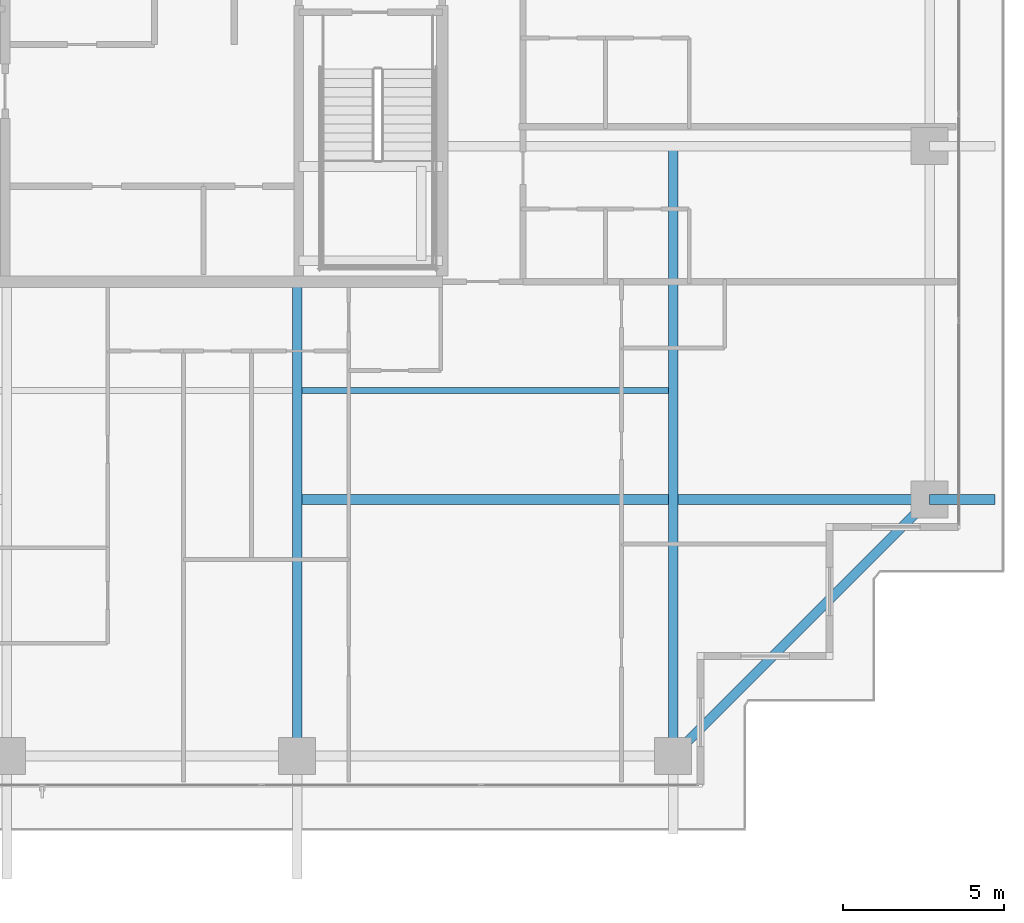
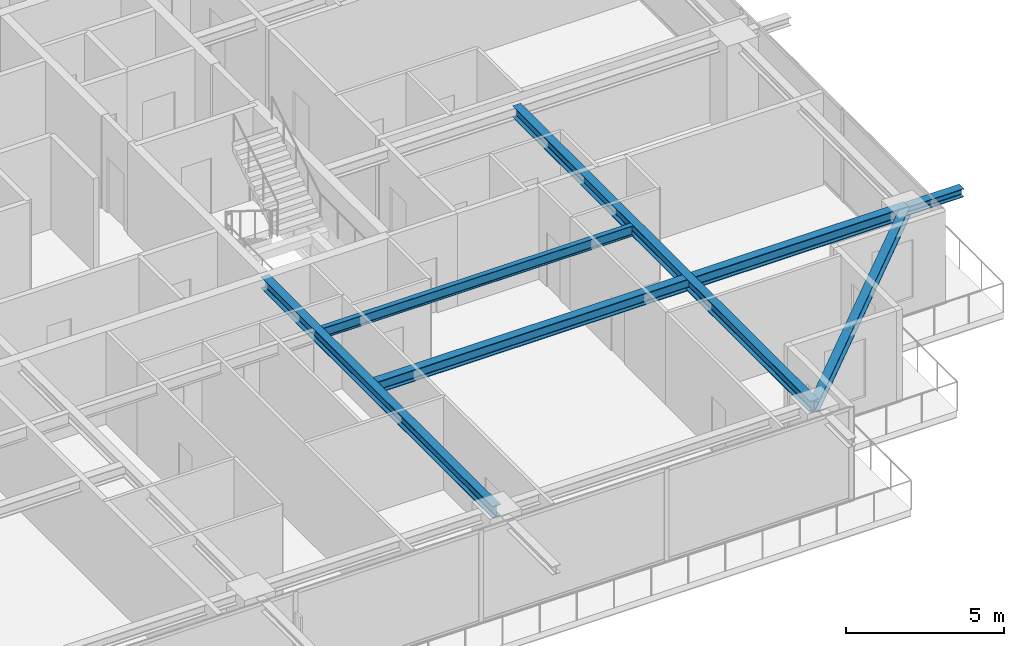
# One storey, part 13 of 40: 6 beams.
"""IFC4 building model written with IfcOpenShell, lengths in metres."""

import ifcopenshell
import ifcopenshell.guid

model = None  # the IFC model being written
_history = None  # IfcOwnerHistory: only IFC2X3 demands one
_inside = {}  # id of a spatial element -> (the spatial element, [elements in it])
_under = {}  # id of a project, library or spatial element -> (it, [spatial elements below it])
_declared = {}  # id of a project -> (the project, [libraries it declares])
_typed = {}  # id of a type object -> (the type object, [elements of that type])
_made_of = {}  # id of a material, layer set ... -> (it, [elements and type objects made of it])


def new_model(schema):
    """Start an empty IFC model of exactly this schema.

    Asked for "IFC4X3", IfcOpenShell would pick the latest addendum, in which some entities
    have other attributes; the version numbers below select the first issue.
    IFC2X3 requires an IfcOwnerHistory on every rooted entity: one is made here for all.
    """
    global model, _history
    if schema == "IFC4X3":
        model = ifcopenshell.file(schema_version=(4, 3, 0, 0))
    else:
        model = ifcopenshell.file(schema=schema)
    _inside.clear()
    _under.clear()
    _declared.clear()
    _typed.clear()
    _made_of.clear()
    _history = None
    if model.schema == "IFC2X3":
        org = make("IfcOrganization", Name="unknown")
        user = make(
            "IfcPersonAndOrganization",
            ThePerson=make("IfcPerson", FamilyName="unknown"),
            TheOrganization=org,
        )
        app = make(
            "IfcApplication",
            ApplicationDeveloper=org,
            Version="unknown",
            ApplicationFullName="unknown",
            ApplicationIdentifier="unknown",
        )
        _history = make(
            "IfcOwnerHistory",
            OwningUser=user,
            OwningApplication=app,
            ChangeAction="ADDED",
            CreationDate=0,
        )
    return model


def make(cls, **values):
    """One entity of the class cls with the attributes given. An attribute that is None is left unset."""
    return model.create_entity(
        cls, **{name: value for name, value in values.items() if value is not None}
    )


def rooted(cls, **values):
    """An entity with a GlobalId (a new one), such as an element, a storey or a relation."""
    return make(cls, GlobalId=ifcopenshell.guid.new(), OwnerHistory=_history, **values)


def si_unit(unit_type, name, prefix=None):
    """IfcSIUnit, for example si_unit("LENGTHUNIT", "METRE", prefix="MILLI")."""
    return make("IfcSIUnit", UnitType=unit_type, Prefix=prefix, Name=name)


def assignment(units):
    """IfcUnitAssignment: the units of a project."""
    return None if units is None else make("IfcUnitAssignment", Units=units)


def point(xyz):
    """IfcCartesianPoint."""
    return None if xyz is None else make("IfcCartesianPoint", Coordinates=xyz)


def direction(xyz):
    """IfcDirection."""
    return None if xyz is None else make("IfcDirection", DirectionRatios=xyz)


def frame(location, z_axis=None, x_axis=None):
    """IfcAxis2Placement3D, a coordinate frame: its origin and axes. An axis left out is left unset."""
    return make(
        "IfcAxis2Placement3D",
        Location=point(location),
        Axis=direction(z_axis),
        RefDirection=direction(x_axis),
    )


def frame_2d(location, x_axis=None):
    """IfcAxis2Placement2D, a coordinate frame in the plane: its origin and x axis."""
    return make(
        "IfcAxis2Placement2D", Location=point(location), RefDirection=direction(x_axis)
    )


def origin():
    """The frame at (0, 0, 0) with its axes left unset."""
    return frame((0.0, 0.0, 0.0))


def origin_2d():
    """The frame at (0, 0) in the plane with its x axis left unset."""
    return frame_2d((0.0, 0.0))


def place(relative_to, where):
    """IfcLocalPlacement: puts the frame where relative to a parent placement (None: the world)."""
    return make(
        "IfcLocalPlacement", PlacementRelTo=relative_to, RelativePlacement=where
    )


def context(
    kind, dimensions, precision=None, world=None, true_north=None, identifier=None
):
    """IfcGeometricRepresentationContext, for example the 3D "Model" context."""
    return make(
        "IfcGeometricRepresentationContext",
        ContextIdentifier=identifier,
        ContextType=kind,
        CoordinateSpaceDimension=dimensions,
        Precision=precision,
        WorldCoordinateSystem=world,
        TrueNorth=true_north,
    )


def subcontext(parent, identifier, kind, view, scale=None):
    """IfcGeometricRepresentationSubContext, for example "Body" below "Model"."""
    return make(
        "IfcGeometricRepresentationSubContext",
        ContextIdentifier=identifier,
        ContextType=kind,
        ParentContext=parent,
        TargetScale=scale,
        TargetView=view,
    )


def project(units=None, contexts=None):
    """IfcProject with its units and contexts."""
    return rooted(
        "IfcProject",
        Name="project",
        RepresentationContexts=contexts,
        UnitsInContext=assignment(units),
    )


def spatial(cls, under=None, at=None, **own):
    """A site, building, storey or space (cls), placed at a placement, below another one or the project."""
    s = rooted(cls, ObjectPlacement=at, **own)
    if under is not None:
        _under.setdefault(under.id(), (under, []))[1].append(s)
    return s


def profile(cls, at=None, kind="AREA", **sizes):
    """A parametric profile (cls). Its sizes go by their IFC names, for example OverallWidth=200.0."""
    return make(cls, ProfileType=kind, Position=at, **sizes)


def i_section(**sizes):
    """IfcIShapeProfileDef."""
    return profile("IfcIShapeProfileDef", **sizes)


def extrude(swept, where, along, depth):
    """IfcExtrudedAreaSolid: the profile swept, set in the frame where, extruded along a direction by depth."""
    return make(
        "IfcExtrudedAreaSolid",
        SweptArea=swept,
        Position=where,
        ExtrudedDirection=direction(along),
        Depth=depth,
    )


def shape(context_of_items, identifier, shape_type, items):
    """IfcShapeRepresentation: the items that make up one representation, for example the "Body"."""
    return make(
        "IfcShapeRepresentation",
        ContextOfItems=context_of_items,
        RepresentationIdentifier=identifier,
        RepresentationType=shape_type,
        Items=items,
    )


def source(mapping_origin, context_of_items, identifier, shape_type, items):
    """IfcRepresentationMap: a shape defined once, which mapped items show again and again."""
    return make(
        "IfcRepresentationMap",
        MappingOrigin=mapping_origin,
        MappedRepresentation=shape(context_of_items, identifier, shape_type, items),
    )


def transform(
    local_origin,
    x_axis=None,
    y_axis=None,
    z_axis=None,
    scale=None,
    scale2=None,
    scale3=None,
    uniform=True,
):
    """IfcCartesianTransformationOperator3D, or its non-uniform kind. x_axis, y_axis, z_axis: its Axis1, 2, 3."""
    if uniform:
        return make(
            "IfcCartesianTransformationOperator3D",
            Axis1=direction(x_axis),
            Axis2=direction(y_axis),
            LocalOrigin=point(local_origin),
            Scale=scale,
            Axis3=direction(z_axis),
        )
    return make(
        "IfcCartesianTransformationOperator3DnonUniform",
        Axis1=direction(x_axis),
        Axis2=direction(y_axis),
        LocalOrigin=point(local_origin),
        Scale=scale,
        Axis3=direction(z_axis),
        Scale2=scale2,
        Scale3=scale3,
    )


def mapped(mapping_source, mapping_target):
    """IfcMappedItem: shows the shape of a source again, moved by a transform."""
    return make(
        "IfcMappedItem", MappingSource=mapping_source, MappingTarget=mapping_target
    )


def material(Name=None, Category=None):
    """IfcMaterial."""
    return make("IfcMaterial", Name=Name, Category=Category)


def material_profile(
    of_material, cross_section, Name=None, Category=None, Priority=None
):
    """IfcMaterialProfile: a cross section and its material."""
    return make(
        "IfcMaterialProfile",
        Name=Name,
        Material=of_material,
        Profile=cross_section,
        Priority=Priority,
        Category=Category,
    )


def profile_set(profiles, Name=None, composite=None):
    """IfcMaterialProfileSet."""
    return make(
        "IfcMaterialProfileSet",
        Name=Name,
        MaterialProfiles=profiles,
        CompositeProfile=composite,
    )


def made_of(thing, what):
    """Note that an element or type object is made of a material, layer set ...; save() writes the relation."""
    if what is not None:
        _made_of.setdefault(what.id(), (what, []))[1].append(thing)
    return thing


def type_object(cls, material=None, **own):
    """A type object (cls), such as IfcWallType, which elements share."""
    return made_of(rooted(cls, **own), material)


def element(
    cls,
    number,
    at=None,
    inside=None,
    cuts=None,
    type_object=None,
    material=None,
    context=None,
    identifier="Body",
    shape_type=None,
    held_by="IfcProductDefinitionShape",
    body=None,
    shapes=None,
    **own,
):
    """One element of the class cls, such as IfcWall. Its Tag is "e" and its number.

    at: its placement. inside: the storey or other place that contains it. cuts: it is an
    opening in that element (IfcRelVoidsElement). A single representation is given by context,
    identifier, shape_type and body (its items); several are given by shapes. held_by: the class
    of the entity that holds the representations. save() writes the other relations.
    """
    e = rooted(cls, Tag="e%d" % number, ObjectPlacement=at, **own)
    if body is not None:
        shapes = [shape(context, identifier, shape_type, body)]
    if shapes is not None:
        e.Representation = make(held_by, Representations=shapes)
    if inside is not None:
        _inside.setdefault(inside.id(), (inside, []))[1].append(e)
    if cuts is not None:
        rooted(
            "IfcRelVoidsElement", RelatingBuildingElement=cuts, RelatedOpeningElement=e
        )
    if type_object is not None:
        _typed.setdefault(type_object.id(), (type_object, []))[1].append(e)
    return made_of(e, material)


def aggregate(whole, parts):
    """IfcRelAggregates: a whole, such as a stair, and the parts it consists of."""
    return rooted("IfcRelAggregates", RelatingObject=whole, RelatedObjects=parts)


def save(model, path):
    """Write the relations noted so far, then the file.

    IfcRelAggregates (storeys below a building ...), IfcRelContainedInSpatialStructure (elements
    in a storey), IfcRelDefinesByType, IfcRelAssociatesMaterial and IfcRelDeclares: one each for
    every whole, place, type object, material and project.
    """
    for whole, parts in _under.values():
        aggregate(whole, parts)
    for where, things in _inside.values():
        rooted(
            "IfcRelContainedInSpatialStructure",
            RelatedElements=things,
            RelatingStructure=where,
        )
    for kind, things in _typed.values():
        rooted("IfcRelDefinesByType", RelatedObjects=things, RelatingType=kind)
    for what, things in _made_of.values():
        rooted("IfcRelAssociatesMaterial", RelatedObjects=things, RelatingMaterial=what)
    for by, libraries in _declared.values():
        rooted("IfcRelDeclares", RelatingContext=by, RelatedDefinitions=libraries)
    model.write(path)


model = new_model("IFC4")

# Units and contexts
model_context = context("Model", 3, precision=1e-05, world=origin(), true_north=direction((0.0, 1.0)))
body_context = subcontext(model_context, "Body", "Model", "MODEL_VIEW")
ifc_project = project(units=[si_unit("LENGTHUNIT", "METRE"), si_unit("AREAUNIT", "SQUARE_METRE"), si_unit("VOLUMEUNIT", "CUBIC_METRE"), si_unit("PLANEANGLEUNIT", "RADIAN"), si_unit("MASSUNIT", "GRAM", prefix="KILO")], contexts=[model_context])

# Site, building, storey
site_placement = place(None, origin())
site = spatial("IfcSite", under=ifc_project, at=site_placement, CompositionType="ELEMENT")
building_placement = place(site_placement, origin())
building = spatial("IfcBuilding", under=site, at=building_placement, Name="Serunith Strait Residences", CompositionType="ELEMENT")
storey_placement = place(building_placement, frame((0.0, 0.0, 252.800048828125)))
storey = spatial("IfcBuildingStorey", under=building, at=storey_placement, Name="L63", CompositionType="ELEMENT", Elevation=252.800048828125)

# Beams
ifc_material = material(Name="Steel S355J2", Category="steel")
ifc_material_profile_1 = material_profile(ifc_material, i_section(OverallWidth=0.300048828125, OverallDepth=0.449951171875, WebThickness=0.013916015625, FlangeThickness=0.02587890625, FilletRadius=0.027099609375, at=origin_2d()), Name="HEB 450")
ifc_profile_set_1 = profile_set([ifc_material_profile_1], Name="Steel S355J2")
beam_type_1 = type_object("IfcBeamType", Name="BM-HEB450", PredefinedType="BEAM", material=ifc_profile_set_1)
shared_shape_1 = source(origin(), body_context, "Body", "SweptSolid", [
    extrude(i_section(OverallWidth=0.300048828125, OverallDepth=0.449951171875, WebThickness=0.013916015625, FlangeThickness=0.02587890625, FilletRadius=0.027099609375, at=origin_2d()), origin(), (0.0, 0.0, 1.0), 14.699951171875),
])
beam_1_placement = place(storey_placement, frame((36.89990234375, 16.800048828125, 3.362060546875), z_axis=(0.0, -1.0, 0.0), x_axis=(1.0, 0.0, 0.0)))
element("IfcBeam", 1, at=beam_1_placement, inside=storey, type_object=beam_type_1, Name="L63 Primary Floor Girder TC-S3", PredefinedType="BEAM", context=body_context, shape_type="MappedRepresentation", body=[
    mapped(shared_shape_1, transform((0.0, 0.0, 0.0), scale=1.0)),
])
shared_shape_2 = source(origin(), body_context, "Body", "SweptSolid", [
    extrude(i_section(OverallWidth=0.300048828125, OverallDepth=0.449951171875, WebThickness=0.013916015625, FlangeThickness=0.02587890625, FilletRadius=0.027099609375, at=origin_2d()), origin(), (0.0, 0.0, 1.0), 18.89990234375),
])
beam_2_placement = place(storey_placement, frame((48.550048828125, 21.0, 3.362060546875), z_axis=(0.0, -1.0, 0.0), x_axis=(1.0, 0.0, 0.0)))
element("IfcBeam", 2, at=beam_2_placement, inside=storey, type_object=beam_type_1, Name="L63 Orthogonal Corner Girder TC-S4", PredefinedType="BEAM", context=body_context, shape_type="MappedRepresentation", body=[
    mapped(shared_shape_2, transform((0.0, 0.0, 0.0), scale=1.0)),
])
shared_shape_3 = source(origin(), body_context, "Body", "SweptSolid", [
    extrude(i_section(OverallWidth=0.300048828125, OverallDepth=0.449951171875, WebThickness=0.013916015625, FlangeThickness=0.02587890625, FilletRadius=0.027099609375, at=origin_2d()), origin(), (0.0, 0.0, 1.0), 19.60009765625),
])
beam_3_placement = place(storey_placement, frame((36.89990234375, 10.050048828125, 3.362060546875), z_axis=(1.0, 0.0, 0.0), x_axis=(0.0, 1.0, 0.0)))
element("IfcBeam", 3, at=beam_3_placement, inside=storey, type_object=beam_type_1, Name="L63 Orthogonal Corner Girder TC-E1", PredefinedType="BEAM", context=body_context, shape_type="MappedRepresentation", body=[
    mapped(shared_shape_3, transform((0.0, 0.0, 0.0), scale=1.0)),
])
ifc_material_profile_2 = material_profile(ifc_material, i_section(OverallWidth=0.300048828125, OverallDepth=0.39990234375, WebThickness=0.013427734375, FlangeThickness=0.02392578125, FilletRadius=0.027099609375, at=origin_2d()), Name="HEB 400")
ifc_profile_set_2 = profile_set([ifc_material_profile_2], Name="Steel S355J2")
beam_type_2 = type_object("IfcBeamType", Name="BM-HEB400", PredefinedType="BEAM", material=ifc_profile_set_2)
shared_shape_4 = source(origin(), body_context, "Body", "SweptSolid", [
    extrude(i_section(OverallWidth=0.300048828125, OverallDepth=0.39990234375, WebThickness=0.013427734375, FlangeThickness=0.02392578125, FilletRadius=0.027099609375, at=origin_2d()), origin(), (0.0, 0.0, 1.0), 11.242919921875),
])
beam_4_placement = place(storey_placement, frame((48.550048828125, 2.10009765625, 3.35693359375), z_axis=(0.707106781187, 0.707106781187, 0.0), x_axis=(-0.707106781187, 0.707106781187, 0.0)))
element("IfcBeam", 4, at=beam_4_placement, inside=storey, type_object=beam_type_2, Name="L63 Perimeter Ring Beam 04", PredefinedType="BEAM", context=body_context, shape_type="MappedRepresentation", body=[
    mapped(shared_shape_4, transform((0.0, 0.0, 0.0), scale=1.0)),
])
ifc_material_profile_3 = material_profile(ifc_material, i_section(OverallWidth=0.179931640625, OverallDepth=0.39990234375, WebThickness=0.008544921875, FlangeThickness=0.013427734375, FilletRadius=0.02099609375, at=origin_2d()), Name="IPE 400")
ifc_profile_set_3 = profile_set([ifc_material_profile_3], Name="Steel S355J2")
beam_type_3 = type_object("IfcBeamType", Name="BM-IPE400", PredefinedType="JOIST", material=ifc_profile_set_3)
shared_shape_5 = source(origin(), body_context, "Body", "SweptSolid", [
    extrude(i_section(OverallWidth=0.179931640625, OverallDepth=0.39990234375, WebThickness=0.008544921875, FlangeThickness=0.013427734375, FilletRadius=0.02099609375, at=origin_2d()), origin(), (0.0, 0.0, 1.0), 11.349853515625),
])
beam_5_placement = place(storey_placement, frame((37.050048828125, 13.425048828125, 3.386962890625), z_axis=(1.0, 0.0, 0.0), x_axis=(0.0, 1.0, 0.0)))
element("IfcBeam", 5, at=beam_5_placement, inside=storey, type_object=beam_type_3, Name="L63 Composite Floor Joist 03", PredefinedType="JOIST", context=body_context, shape_type="MappedRepresentation", body=[
    mapped(shared_shape_5, transform((0.0, 0.0, 0.0), scale=1.0)),
])
ifc_material_profile_4 = material_profile(ifc_material, i_section(OverallWidth=0.300048828125, OverallDepth=0.320068359375, WebThickness=0.011474609375, FlangeThickness=0.0205078125, FilletRadius=0.027099609375, at=origin_2d()), Name="HEB 320")
ifc_profile_set_4 = profile_set([ifc_material_profile_4], Name="Steel S355J2")
beam_type_4 = type_object("IfcBeamType", Name="BM-HEB320", PredefinedType="BEAM", material=ifc_profile_set_4)
shared_shape_6 = source(origin(), body_context, "Body", "SweptSolid", [
    extrude(i_section(OverallWidth=0.300048828125, OverallDepth=0.320068359375, WebThickness=0.011474609375, FlangeThickness=0.0205078125, FilletRadius=0.027099609375, at=origin_2d()), origin(), (0.0, 0.0, 1.0), 2.030029296875),
])
beam_6_placement = place(storey_placement, frame((56.5, 10.050048828125, 3.39697265625), z_axis=(1.0, 0.0, 0.0), x_axis=(0.0, 1.0, 0.0)))
element("IfcBeam", 6, at=beam_6_placement, inside=storey, type_object=beam_type_4, Name="L64 Cantilevered Balcony Rib TC-E1", PredefinedType="BEAM", context=body_context, shape_type="MappedRepresentation", body=[
    mapped(shared_shape_6, transform((0.0, 0.0, 0.0), scale=1.0)),
])

save(model, "model.ifc")
